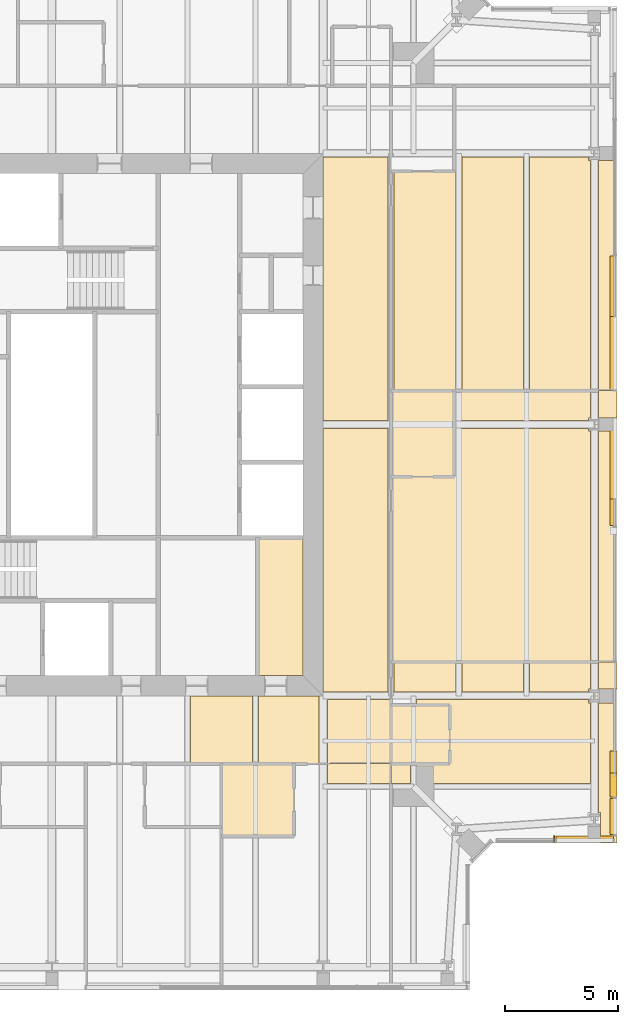
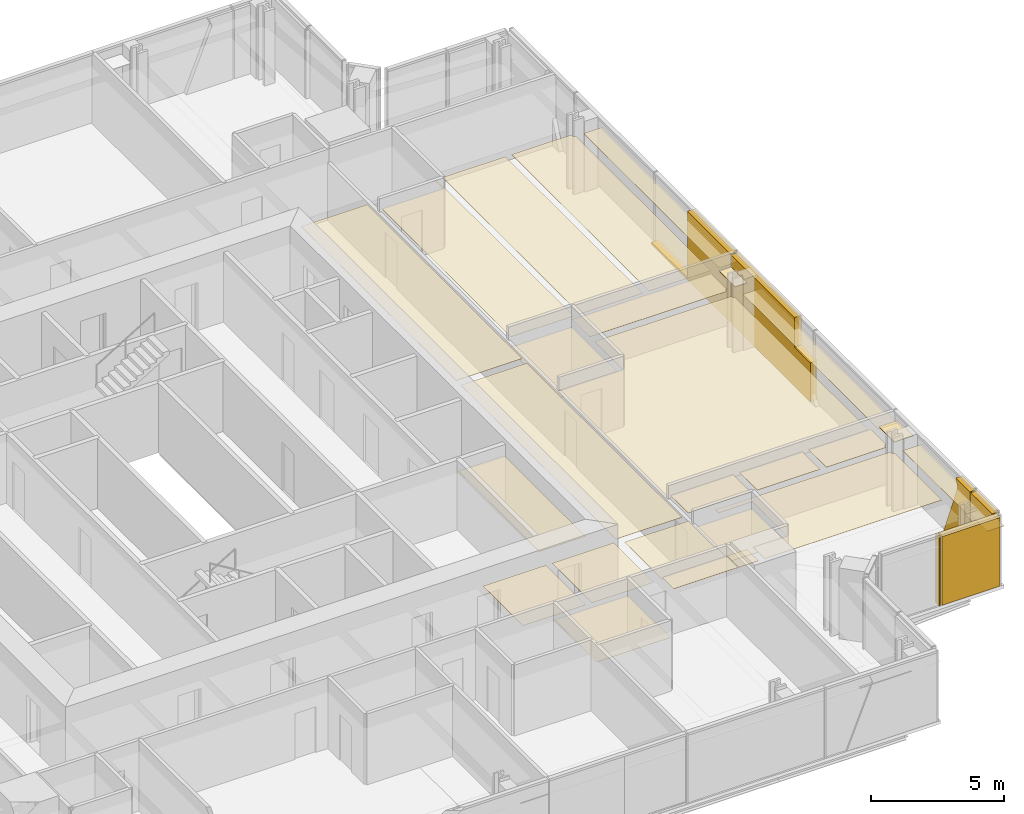
# One storey, part 17 of 20: 31 coverings.
"""IFC4 building model written with IfcOpenShell, lengths in metres."""

from ifc_helpers import new_model, si_unit, direction, frame, origin, place, context, subcontext, project, spatial, polyline, outline, extrude, material, layer, layer_set, type_object, element, save


model = new_model("IFC4")

# Units and contexts
model_context = context("Model", 3, precision=1e-05, world=origin(), true_north=direction((0.0, 1.0)))
body_context = subcontext(model_context, "Body", "Model", "MODEL_VIEW")
ifc_project = project(units=[si_unit("LENGTHUNIT", "METRE"), si_unit("AREAUNIT", "SQUARE_METRE"), si_unit("VOLUMEUNIT", "CUBIC_METRE"), si_unit("PLANEANGLEUNIT", "RADIAN"), si_unit("MASSUNIT", "GRAM", prefix="KILO")], contexts=[model_context])

# Site, building, storey
site_placement = place(None, origin())
site = spatial("IfcSite", under=ifc_project, at=site_placement, CompositionType="ELEMENT")
building_placement = place(site_placement, origin())
building = spatial("IfcBuilding", under=site, at=building_placement, Name="Fenwick Lantern Interchange", CompositionType="ELEMENT")
storey_placement = place(building_placement, frame((0.0, 0.0, 279.800048828125)))
storey = spatial("IfcBuildingStorey", under=building, at=storey_placement, Name="L67", CompositionType="ELEMENT", Elevation=279.800048828125)

# Coverings
ifc_material_1 = material(Name="Granite cladding, warm grey flamed finish, on aluminium carrier frame", Category="masonry")
ifc_layer_1 = layer(ifc_material_1, 0.300048828125)
ifc_layer_set_1 = layer_set([ifc_layer_1], Name="BRACE CASING PANEL 300")
covering_type_1 = type_object("IfcCoveringType", Name="BRACE CASING PANEL 300", PredefinedType="CLADDING", material=ifc_layer_set_1)
covering_1_placement = place(storey_placement, frame((44.45849609375, 6.60009765625, 0.0), z_axis=(0.0, 0.0, 1.0), x_axis=(1.0, 0.0, 0.0)))
element("IfcCovering", 1, at=covering_1_placement, inside=storey, type_object=covering_type_1, Name="Brace casing 04 bay 00a", PredefinedType="CLADDING", context=body_context, shape_type="SweptSolid", body=[
    extrude(outline(polyline([(2.741455078125, 0.0), (2.790771484375, 0.0), (2.790771484375, 3.14990234375), (2.741455078125, 3.14990234375), (2.741455078125, 0.0)])), frame((0.0, 0.2099609375, 0.0), z_axis=(0.0, -1.0, 0.0), x_axis=(1.0, 0.0, 0.0)), (0.0, 0.0, 1.0), 0.300048828125),
])
covering_2_placement = place(storey_placement, frame((44.45849609375, 6.60009765625, 0.0), z_axis=(0.0, 0.0, 1.0), x_axis=(1.0, 0.0, 0.0)))
element("IfcCovering", 2, at=covering_2_placement, inside=storey, type_object=covering_type_1, Name="Brace casing 04 bay 01a", PredefinedType="CLADDING", context=body_context, shape_type="SweptSolid", body=[
    extrude(outline(polyline([(2.850830078125, 0.0), (5.38134765625, 0.0), (5.38134765625, 3.14990234375), (2.850830078125, 3.14990234375), (2.850830078125, 0.0)])), frame((0.0, 0.2099609375, 0.0), z_axis=(0.0, -1.0, 0.0), x_axis=(1.0, 0.0, 0.0)), (0.0, 0.0, 1.0), 0.300048828125),
])
covering_3_placement = place(storey_placement, frame((49.89990234375, 6.60009765625, 0.0), z_axis=(0.0, 0.0, 1.0), x_axis=(0.0, 1.0, 0.0)))
element("IfcCovering", 3, at=covering_3_placement, inside=storey, type_object=covering_type_1, Name="Brace casing 05 bay 00a", PredefinedType="CLADDING", context=body_context, shape_type="SweptSolid", body=[
    extrude(outline(polyline([(0.260009765625, 0.0), (1.8701171875, 0.0), (1.8701171875, 3.14990234375), (0.260009765625, 3.14990234375), (0.260009765625, 0.0)])), frame((0.0, 0.2099609375, 0.0), z_axis=(0.0, -1.0, 0.0), x_axis=(1.0, 0.0, 0.0)), (0.0, 0.0, 1.0), 0.300048828125),
])
covering_4_placement = place(storey_placement, frame((49.89990234375, 6.60009765625, 0.0), z_axis=(0.0, 0.0, 1.0), x_axis=(0.0, 1.0, 0.0)))
element("IfcCovering", 4, at=covering_4_placement, inside=storey, type_object=covering_type_1, Name="Brace casing 05 bay 01a", PredefinedType="CLADDING", context=body_context, shape_type="SweptSolid", body=[
    extrude(outline(polyline([(1.929931640625, 0.0), (3.971435546875, 0.0), (2.8427734375, 2.791015625), (2.9892578125, 3.14990234375), (1.929931640625, 3.14990234375), (1.929931640625, 0.0)])), frame((0.0, 0.2099609375, 0.0), z_axis=(0.0, -1.0, 0.0), x_axis=(1.0, 0.0, 0.0)), (0.0, 0.0, 1.0), 0.300048828125),
])
covering_5_placement = place(storey_placement, frame((49.89990234375, 6.60009765625, 0.0), z_axis=(0.0, 0.0, 1.0), x_axis=(0.0, 1.0, 0.0)))
element("IfcCovering", 5, at=covering_5_placement, inside=storey, type_object=covering_type_1, Name="Brace casing 05 bay 03a", PredefinedType="CLADDING", context=body_context, shape_type="SweptSolid", body=[
    extrude(outline(polyline([(13.929931640625, 0.0), (19.8701171875, 0.0), (19.8701171875, 3.14990234375), (15.1201171875, 3.14990234375), (15.1201171875, 1.797119140625), (13.929931640625, 1.797119140625), (13.929931640625, 0.0)])), frame((0.0, 0.2099609375, 0.0), z_axis=(0.0, -1.0, 0.0), x_axis=(1.0, 0.0, 0.0)), (0.0, 0.0, 1.0), 0.300048828125),
])
covering_6_placement = place(storey_placement, frame((49.89990234375, 6.60009765625, 0.0), z_axis=(0.0, 0.0, 1.0), x_axis=(0.0, 1.0, 0.0)))
element("IfcCovering", 6, at=covering_6_placement, inside=storey, type_object=covering_type_1, Name="Brace casing 05 bay 04a", PredefinedType="CLADDING", context=body_context, shape_type="SweptSolid", body=[
    extrude(outline(polyline([(19.929931640625, 0.0), (25.8701171875, 0.0), (25.8701171875, 0.09765625), (23.179443359375, 0.09765625), (23.179443359375, 3.14990234375), (19.929931640625, 3.14990234375), (19.929931640625, 0.0)])), frame((0.0, 0.2099609375, 0.0), z_axis=(0.0, -1.0, 0.0), x_axis=(1.0, 0.0, 0.0)), (0.0, 0.0, 1.0), 0.300048828125),
])
ifc_material_2 = material(Name="Moisture resistant gypsum board on suspended frame, painted")
ifc_layer_2 = layer(ifc_material_2, 0.014892578125)
ifc_layer_set_2 = layer_set([ifc_layer_2], Name="MOISTURE RESISTANT CEILING 15")
covering_type_2 = type_object("IfcCoveringType", Name="MOISTURE RESISTANT CEILING 15", PredefinedType="CEILING", material=ifc_layer_set_2)
covering_7_placement = place(storey_placement, frame((0.0, 0.0, 2.599853515625)))
element("IfcCovering", 7, at=covering_7_placement, inside=storey, type_object=covering_type_2, Name="Men's WC ceiling", PredefinedType="CEILING", context=body_context, shape_type="SweptSolid", body=[
    extrude(outline(polyline([(34.10009765625, 13.89990234375), (36.10009765625, 13.89990234375), (36.10009765625, 20.0), (34.10009765625, 20.0), (34.10009765625, 13.89990234375)])), origin(), (0.0, 0.0, 1.0), 0.01513671875),
])
covering_8_placement = place(storey_placement, frame((0.0, 0.0, 2.39990234375)))
element("IfcCovering", 8, at=covering_8_placement, inside=storey, type_object=covering_type_2, Name="En-suite 6704 ceiling", PredefinedType="CEILING", context=body_context, shape_type="SweptSolid", body=[
    extrude(outline(polyline([(32.5, 6.800048828125), (35.699951171875, 6.800048828125), (35.699951171875, 10.0), (32.5, 10.0), (32.5, 6.800048828125)])), origin(), (0.0, 0.0, 1.0), 0.01513671875),
])
covering_9_placement = place(storey_placement, frame((0.0, 0.0, 2.39990234375)))
element("IfcCovering", 9, at=covering_9_placement, inside=storey, type_object=covering_type_2, Name="En-suite 6705 ceiling", PredefinedType="CEILING", context=body_context, shape_type="SweptSolid", body=[
    extrude(outline(polyline([(42.60009765625, 10.0), (42.60009765625, 12.60009765625), (40.0, 12.60009765625), (40.0, 10.0), (42.60009765625, 10.0)])), origin(), (0.0, 0.0, 1.0), 0.01513671875),
])
covering_10_placement = place(storey_placement, frame((0.0, 0.0, 2.235107421875)))
element("IfcCovering", 10, at=covering_10_placement, inside=storey, type_object=covering_type_2, Name="En-suite 6706 ceiling", PredefinedType="CEILING", context=body_context, shape_type="SweptSolid", body=[
    extrude(outline(polyline([(42.800048828125, 22.699951171875), (42.800048828125, 26.5), (40.0, 26.5), (40.0, 22.699951171875), (42.800048828125, 22.699951171875)])), origin(), (0.0, 0.0, 1.0), 0.014892578125),
])
ifc_material_3 = material(Name="Gypsum plasterboard on suspended frame, painted")
ifc_layer_3 = layer(ifc_material_3, 0.014892578125)
ifc_layer_set_3 = layer_set([ifc_layer_3], Name="PLASTERBOARD CEILING 15")
covering_type_3 = type_object("IfcCoveringType", Name="PLASTERBOARD CEILING 15", PredefinedType="CEILING", material=ifc_layer_set_3)
covering_11_placement = place(storey_placement, frame((0.0, 0.0, 2.599853515625)))
element("IfcCovering", 11, at=covering_11_placement, inside=storey, type_object=covering_type_3, Name="Corridor ceiling", PredefinedType="CEILING", context=body_context, shape_type="SweptSolid", body=[
    extrude(outline(polyline([(37.0, 24.824951171875), (37.0, 13.166015625), (39.865478515625, 13.166015625), (39.865478515625, 24.824951171875), (37.0, 24.824951171875)])), origin(), (0.0, 0.0, 1.0), 0.01513671875),
])
covering_12_placement = place(storey_placement, frame((0.0, 0.0, 2.599853515625)))
element("IfcCovering", 12, at=covering_12_placement, inside=storey, type_object=covering_type_3, Name="Corridor ceiling", PredefinedType="CEILING", context=body_context, shape_type="SweptSolid", body=[
    extrude(outline(polyline([(37.0, 36.833984375), (37.0, 25.175048828125), (39.865478515625, 25.175048828125), (39.865478515625, 36.833984375), (37.0, 36.833984375)])), origin(), (0.0, 0.0, 1.0), 0.01513671875),
])
covering_13_placement = place(storey_placement, frame((0.0, 0.0, 2.599853515625)))
element("IfcCovering", 13, at=covering_13_placement, inside=storey, type_object=covering_type_3, Name="Corridor ceiling", PredefinedType="CEILING", context=body_context, shape_type="SweptSolid", body=[
    extrude(outline(polyline([(31.134521484375, 10.0), (33.865478515625, 10.0), (33.865478515625, 13.0), (31.134521484375, 13.0), (31.134521484375, 10.0)])), origin(), (0.0, 0.0, 1.0), 0.01513671875),
])
covering_14_placement = place(storey_placement, frame((0.0, 0.0, 2.599853515625)))
element("IfcCovering", 14, at=covering_14_placement, inside=storey, type_object=covering_type_3, Name="Corridor ceiling", PredefinedType="CEILING", context=body_context, shape_type="SweptSolid", body=[
    extrude(outline(polyline([(34.134521484375, 10.0), (36.816162109375, 10.0), (36.816162109375, 13.0), (34.134521484375, 13.0), (34.134521484375, 10.0)])), origin(), (0.0, 0.0, 1.0), 0.01513671875),
])
covering_15_placement = place(storey_placement, frame((0.0, 0.0, 2.599853515625)))
element("IfcCovering", 15, at=covering_15_placement, inside=storey, type_object=covering_type_3, Name="Corridor ceiling", PredefinedType="CEILING", context=body_context, shape_type="SweptSolid", body=[
    extrude(outline(polyline([(40.0, 10.0), (40.0, 12.833984375), (37.183837890625, 12.833984375), (37.183837890625, 10.0), (40.0, 10.0)])), origin(), (0.0, 0.0, 1.0), 0.01513671875),
])
covering_16_placement = place(storey_placement, frame((0.0, 0.0, 2.699951171875)))
element("IfcCovering", 16, at=covering_16_placement, inside=storey, type_object=covering_type_3, Name="Guest room 6704 ceiling", PredefinedType="CEILING", context=body_context, shape_type="SweptSolid", body=[
    extrude(outline(polyline([(40.0, 10.0), (37.183837890625, 10.0), (37.183837890625, 9.134521484375), (40.0, 9.134521484375), (40.0, 10.0)])), origin(), (0.0, 0.0, 1.0), 0.014892578125),
])
covering_17_placement = place(storey_placement, frame((0.0, 0.0, 2.699951171875)))
element("IfcCovering", 17, at=covering_17_placement, inside=storey, type_object=covering_type_3, Name="Guest suite 6705 ceiling", PredefinedType="CEILING", context=body_context, shape_type="SweptSolid", body=[
    extrude(outline(polyline([(42.60009765625, 10.0), (41.134521484375, 10.0), (41.134521484375, 9.134521484375), (48.82763671875, 9.134521484375), (48.82763671875, 12.6845703125), (48.72900390625, 12.6845703125), (48.72900390625, 12.833984375), (41.134521484375, 12.833984375), (41.134521484375, 12.60009765625), (42.60009765625, 12.60009765625), (42.60009765625, 10.0)])), origin(), (0.0, 0.0, 1.0), 0.014892578125),
])
covering_18_placement = place(storey_placement, frame((0.0, 0.0, 2.699951171875)))
element("IfcCovering", 18, at=covering_18_placement, inside=storey, type_object=covering_type_3, Name="Guest suite 6705 ceiling", PredefinedType="CEILING", context=body_context, shape_type="SweptSolid", body=[
    extrude(outline(polyline([(50.0, 12.6845703125), (49.17236328125, 12.6845703125), (49.17236328125, 7.83447265625), (49.27734375, 7.83447265625), (49.27734375, 6.5), (50.0, 6.5), (50.0, 12.6845703125)])), origin(), (0.0, 0.0, 1.0), 0.014892578125),
])
covering_19_placement = place(storey_placement, frame((0.0, 0.0, 2.699951171875)))
element("IfcCovering", 19, at=covering_19_placement, inside=storey, type_object=covering_type_3, Name="Guest suite 6705 ceiling", PredefinedType="CEILING", context=body_context, shape_type="SweptSolid", body=[
    extrude(outline(polyline([(42.865478515625, 14.5), (40.134521484375, 14.5), (40.134521484375, 13.166015625), (42.865478515625, 13.166015625), (42.865478515625, 14.5)])), origin(), (0.0, 0.0, 1.0), 0.014892578125),
])
covering_20_placement = place(storey_placement, frame((0.0, 0.0, 2.699951171875)))
element("IfcCovering", 20, at=covering_20_placement, inside=storey, type_object=covering_type_3, Name="Guest suite 6705 ceiling", PredefinedType="CEILING", context=body_context, shape_type="SweptSolid", body=[
    extrude(outline(polyline([(45.865478515625, 14.5), (43.134521484375, 14.5), (43.134521484375, 13.166015625), (45.865478515625, 13.166015625), (45.865478515625, 14.5)])), origin(), (0.0, 0.0, 1.0), 0.014892578125),
])
covering_21_placement = place(storey_placement, frame((0.0, 0.0, 2.699951171875)))
element("IfcCovering", 21, at=covering_21_placement, inside=storey, type_object=covering_type_3, Name="Guest suite 6705 ceiling", PredefinedType="CEILING", context=body_context, shape_type="SweptSolid", body=[
    extrude(outline(polyline([(48.82763671875, 14.5), (46.134521484375, 14.5), (46.134521484375, 13.166015625), (48.72900390625, 13.166015625), (48.72900390625, 13.3154296875), (48.82763671875, 13.3154296875), (48.82763671875, 14.5)])), origin(), (0.0, 0.0, 1.0), 0.014892578125),
])
covering_22_placement = place(storey_placement, frame((0.0, 0.0, 2.699951171875)))
element("IfcCovering", 22, at=covering_22_placement, inside=storey, type_object=covering_type_3, Name="Guest suite 6705 ceiling", PredefinedType="CEILING", context=body_context, shape_type="SweptSolid", body=[
    extrude(outline(polyline([(50.0, 14.5), (49.17236328125, 14.5), (49.17236328125, 13.3154296875), (50.0, 13.3154296875), (50.0, 14.5)])), origin(), (0.0, 0.0, 1.0), 0.014892578125),
])
covering_23_placement = place(storey_placement, frame((0.0, 0.0, 2.699951171875)))
element("IfcCovering", 23, at=covering_23_placement, inside=storey, type_object=covering_type_3, Name="Guest suite 6705 ceiling", PredefinedType="CEILING", context=body_context, shape_type="SweptSolid", body=[
    extrude(outline(polyline([(40.0, 10.0), (40.0, 9.134521484375), (40.865478515625, 9.134521484375), (40.865478515625, 10.0), (40.0, 10.0)])), origin(), (0.0, 0.0, 1.0), 0.014892578125),
])
covering_24_placement = place(storey_placement, frame((0.0, 0.0, 2.57275390625)))
element("IfcCovering", 24, at=covering_24_placement, inside=storey, type_object=covering_type_3, Name="Guest suite 6706 ceiling", PredefinedType="CEILING", context=body_context, shape_type="SweptSolid", body=[
    extrude(outline(polyline([(48.73779296875, 24.71240234375), (48.73779296875, 24.824951171875), (42.800048828125, 24.824951171875), (42.800048828125, 22.699951171875), (40.0, 22.699951171875), (40.0, 14.5), (48.82763671875, 14.5), (48.82763671875, 24.71240234375), (48.73779296875, 24.71240234375)])), origin(), (0.0, 0.0, 1.0), 0.01513671875),
])
covering_25_placement = place(storey_placement, frame((0.0, 0.0, 2.57275390625)))
element("IfcCovering", 25, at=covering_25_placement, inside=storey, type_object=covering_type_3, Name="Guest suite 6706 ceiling", PredefinedType="CEILING", context=body_context, shape_type="SweptSolid", body=[
    extrude(outline(polyline([(50.0, 24.71240234375), (49.17236328125, 24.71240234375), (49.17236328125, 14.5), (50.0, 14.5), (50.0, 24.71240234375)])), origin(), (0.0, 0.0, 1.0), 0.01513671875),
])
covering_26_placement = place(storey_placement, frame((0.0, 0.0, 2.57275390625)))
element("IfcCovering", 26, at=covering_26_placement, inside=storey, type_object=covering_type_3, Name="Guest suite 6706 ceiling", PredefinedType="CEILING", context=body_context, shape_type="SweptSolid", body=[
    extrude(outline(polyline([(48.73779296875, 25.28759765625), (48.82763671875, 25.28759765625), (48.82763671875, 26.5), (42.800048828125, 26.5), (42.800048828125, 25.175048828125), (48.73779296875, 25.175048828125), (48.73779296875, 25.28759765625)])), origin(), (0.0, 0.0, 1.0), 0.01513671875),
])
covering_27_placement = place(storey_placement, frame((0.0, 0.0, 2.57275390625)))
element("IfcCovering", 27, at=covering_27_placement, inside=storey, type_object=covering_type_3, Name="Guest suite 6706 ceiling", PredefinedType="CEILING", context=body_context, shape_type="SweptSolid", body=[
    extrude(outline(polyline([(49.17236328125, 25.28759765625), (50.0, 25.28759765625), (50.0, 26.5), (49.17236328125, 26.5), (49.17236328125, 25.28759765625)])), origin(), (0.0, 0.0, 1.0), 0.01513671875),
])
covering_28_placement = place(storey_placement, frame((0.0, 0.0, 2.699951171875)))
element("IfcCovering", 28, at=covering_28_placement, inside=storey, type_object=covering_type_3, Name="Guest suite 6707 ceiling", PredefinedType="CEILING", context=body_context, shape_type="SweptSolid", body=[
    extrude(outline(polyline([(43.134521484375, 26.5), (45.865478515625, 26.5), (45.865478515625, 36.833984375), (43.134521484375, 36.833984375), (43.134521484375, 26.5)])), origin(), (0.0, 0.0, 1.0), 0.014892578125),
])
covering_29_placement = place(storey_placement, frame((0.0, 0.0, 2.699951171875)))
element("IfcCovering", 29, at=covering_29_placement, inside=storey, type_object=covering_type_3, Name="Guest suite 6707 ceiling", PredefinedType="CEILING", context=body_context, shape_type="SweptSolid", body=[
    extrude(outline(polyline([(48.72900390625, 36.6845703125), (48.72900390625, 36.833984375), (46.134521484375, 36.833984375), (46.134521484375, 26.5), (48.82763671875, 26.5), (48.82763671875, 36.6845703125), (48.72900390625, 36.6845703125)])), origin(), (0.0, 0.0, 1.0), 0.014892578125),
])
covering_30_placement = place(storey_placement, frame((0.0, 0.0, 2.699951171875)))
element("IfcCovering", 30, at=covering_30_placement, inside=storey, type_object=covering_type_3, Name="Guest suite 6707 ceiling", PredefinedType="CEILING", context=body_context, shape_type="SweptSolid", body=[
    extrude(outline(polyline([(40.134521484375, 26.5), (42.865478515625, 26.5), (42.865478515625, 36.833984375), (42.800048828125, 36.833984375), (42.800048828125, 36.199951171875), (40.134521484375, 36.199951171875), (40.134521484375, 26.5)])), origin(), (0.0, 0.0, 1.0), 0.014892578125),
])
covering_31_placement = place(storey_placement, frame((0.0, 0.0, 2.699951171875)))
element("IfcCovering", 31, at=covering_31_placement, inside=storey, type_object=covering_type_3, Name="Guest suite 6707 ceiling", PredefinedType="CEILING", context=body_context, shape_type="SweptSolid", body=[
    extrude(outline(polyline([(50.0, 36.6845703125), (49.17236328125, 36.6845703125), (49.17236328125, 26.5), (50.0, 26.5), (50.0, 36.6845703125)])), origin(), (0.0, 0.0, 1.0), 0.014892578125),
])

save(model, "model.ifc")
